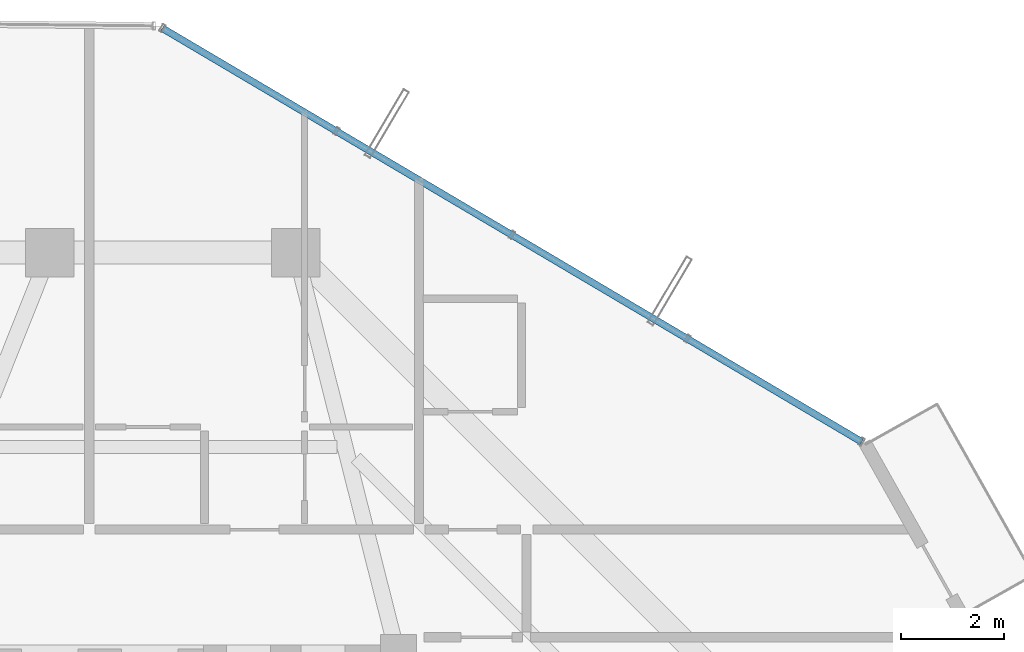
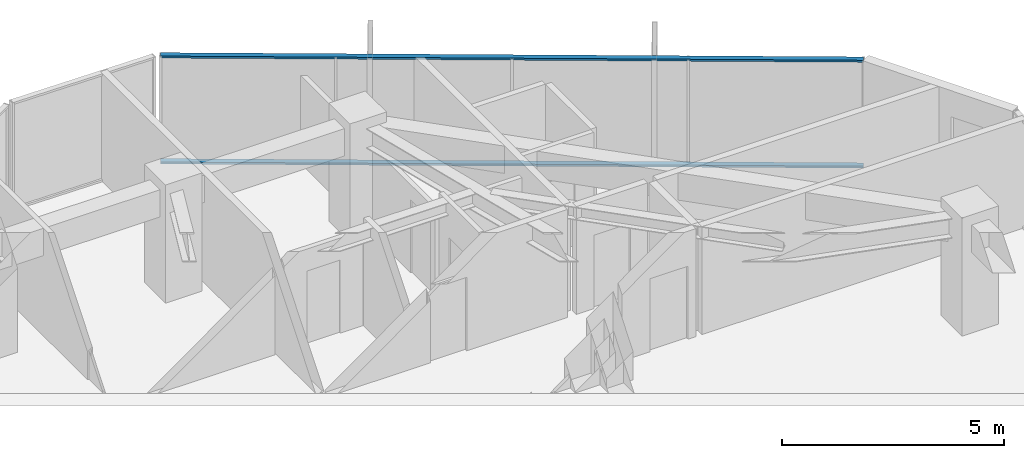
# One storey, part 23 of 30: 2 members, 1 element without a shape of its own.
"""IFC4 building model written with IfcOpenShell, lengths in metres."""

from ifc_helpers import new_model, si_unit, direction, frame, origin, origin_2d, place, context, subcontext, project, spatial, hollow_rectangle, extrude, source, transform, mapped, material, layer, layer_set, material_profile, profile_set, type_object, element, aggregate, save


model = new_model("IFC4")

# Units and contexts
model_context = context("Model", 3, precision=1e-05, world=origin(), true_north=direction((0.0, 1.0)))
body_context = subcontext(model_context, "Body", "Model", "MODEL_VIEW")
ifc_project = project(units=[si_unit("LENGTHUNIT", "METRE"), si_unit("AREAUNIT", "SQUARE_METRE"), si_unit("VOLUMEUNIT", "CUBIC_METRE"), si_unit("PLANEANGLEUNIT", "RADIAN"), si_unit("MASSUNIT", "GRAM", prefix="KILO")], contexts=[model_context])

# Site, building, storey
site_placement = place(None, origin())
site = spatial("IfcSite", under=ifc_project, at=site_placement, CompositionType="ELEMENT")
building_placement = place(site_placement, origin())
building = spatial("IfcBuilding", under=site, at=building_placement, Name="Veraguas Prism Commons", CompositionType="ELEMENT")
storey_placement = place(building_placement, frame((0.0, 0.0, 208.10009765625)))
storey = spatial("IfcBuildingStorey", under=building, at=storey_placement, Name="L59", CompositionType="ELEMENT", Elevation=208.10009765625)

# Curtain wall, members
ifc_material = material(Name="Anodised aluminium EN AW-6063 T6", Category="aluminium")
ifc_layer = layer(ifc_material, 0.14990234375, Name="Unitised Flush Curtain Wall Zone 3", Category="aluminium")
ifc_layer_set = layer_set([ifc_layer], Name="Anodised aluminium EN AW-6063 T6")
curtain_wall_type = type_object("IfcCurtainWallType", Name="Unitised Flush Curtain Wall Zone 3", PredefinedType="NOTDEFINED", material=ifc_layer_set)
curtain_wall_placement = place(storey_placement, origin())
curtain_wall = element("IfcCurtainWall", 1, at=curtain_wall_placement, inside=storey, type_object=curtain_wall_type, Name="Tower Facade Curtain Wall L59-F1", PredefinedType="NOTDEFINED")
ifc_material_profile = material_profile(ifc_material, hollow_rectangle(XDim=0.054931640625, YDim=0.135009765625, WallThickness=0.0029296875, at=origin_2d()), Name="AL55X135X3")
ifc_profile_set = profile_set([ifc_material_profile], Name="Anodised aluminium EN AW-6063 T6")
member_type = type_object("IfcMemberType", Name="Curtain Wall Transom Standard AL 55x135x3", PredefinedType="USERDEFINED", material=ifc_profile_set)
shared_shape = source(origin(), body_context, "Body", "SweptSolid", [
    extrude(hollow_rectangle(XDim=0.054931640625, YDim=0.135009765625, WallThickness=0.0029296875, at=origin_2d()), origin(), (0.0, 0.0, 1.0), 15.842529296875),
])
member_1_placement = place(storey_placement, frame((39.83349609375, 35.211669921875, 0.02734375), z_axis=(-0.860745773839, 0.509035080144, 0.0), x_axis=(0.0, 0.0, 1.0)))
member_1 = element("IfcMember", 2, at=member_1_placement, type_object=member_type, Name="CW-Z3 Transom 1", ObjectType="TRANSOM", PredefinedType="USERDEFINED", context=body_context, shape_type="MappedRepresentation", body=[
    mapped(shared_shape, transform((0.0, 0.0, 0.0), scale=1.0)),
])
member_2_placement = place(storey_placement, frame((39.83349609375, 35.211669921875, 2.9423828125), z_axis=(-0.860745773839, 0.509035080144, 0.0), x_axis=(0.0, 0.0, 1.0)))
member_2 = element("IfcMember", 3, at=member_2_placement, type_object=member_type, Name="CW-Z3 Transom 2", ObjectType="TRANSOM", PredefinedType="USERDEFINED", context=body_context, shape_type="MappedRepresentation", body=[
    mapped(shared_shape, transform((0.0, 0.0, 0.0), scale=1.0)),
])
aggregate(curtain_wall, [member_1, member_2])

save(model, "model.ifc")
